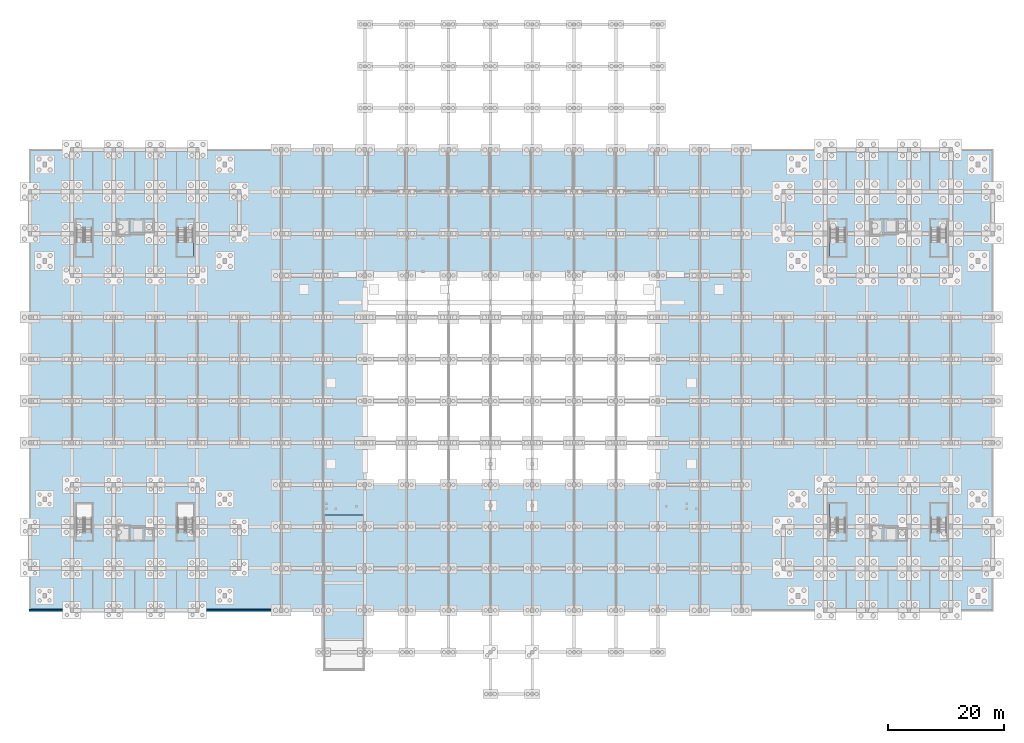
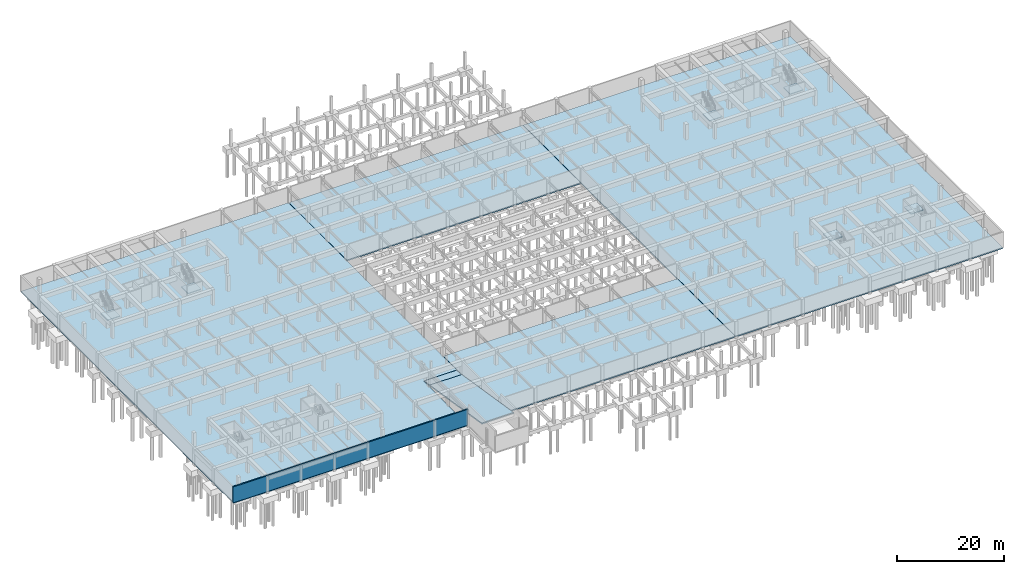
# One storey, part 23 of 36: 12 slabs, 1 wall, 6 elements without a shape of their own.
"""IFC4 building model written with IfcOpenShell, lengths in metres."""

import ifcopenshell
import ifcopenshell.guid

model = None  # the IFC model being written
_history = None  # IfcOwnerHistory: only IFC2X3 demands one
_inside = {}  # id of a spatial element -> (the spatial element, [elements in it])
_under = {}  # id of a project, library or spatial element -> (it, [spatial elements below it])
_declared = {}  # id of a project -> (the project, [libraries it declares])
_typed = {}  # id of a type object -> (the type object, [elements of that type])
_made_of = {}  # id of a material, layer set ... -> (it, [elements and type objects made of it])


def new_model(schema):
    """Start an empty IFC model of exactly this schema.

    Asked for "IFC4X3", IfcOpenShell would pick the latest addendum, in which some entities
    have other attributes; the version numbers below select the first issue.
    IFC2X3 requires an IfcOwnerHistory on every rooted entity: one is made here for all.
    """
    global model, _history
    if schema == "IFC4X3":
        model = ifcopenshell.file(schema_version=(4, 3, 0, 0))
    else:
        model = ifcopenshell.file(schema=schema)
    _inside.clear()
    _under.clear()
    _declared.clear()
    _typed.clear()
    _made_of.clear()
    _history = None
    if model.schema == "IFC2X3":
        org = make("IfcOrganization", Name="unknown")
        user = make(
            "IfcPersonAndOrganization",
            ThePerson=make("IfcPerson", FamilyName="unknown"),
            TheOrganization=org,
        )
        app = make(
            "IfcApplication",
            ApplicationDeveloper=org,
            Version="unknown",
            ApplicationFullName="unknown",
            ApplicationIdentifier="unknown",
        )
        _history = make(
            "IfcOwnerHistory",
            OwningUser=user,
            OwningApplication=app,
            ChangeAction="ADDED",
            CreationDate=0,
        )
    return model


def make(cls, **values):
    """One entity of the class cls with the attributes given. An attribute that is None is left unset."""
    return model.create_entity(
        cls, **{name: value for name, value in values.items() if value is not None}
    )


def rooted(cls, **values):
    """An entity with a GlobalId (a new one), such as an element, a storey or a relation."""
    return make(cls, GlobalId=ifcopenshell.guid.new(), OwnerHistory=_history, **values)


def si_unit(unit_type, name, prefix=None):
    """IfcSIUnit, for example si_unit("LENGTHUNIT", "METRE", prefix="MILLI")."""
    return make("IfcSIUnit", UnitType=unit_type, Prefix=prefix, Name=name)


def assignment(units):
    """IfcUnitAssignment: the units of a project."""
    return None if units is None else make("IfcUnitAssignment", Units=units)


def point(xyz):
    """IfcCartesianPoint."""
    return None if xyz is None else make("IfcCartesianPoint", Coordinates=xyz)


def direction(xyz):
    """IfcDirection."""
    return None if xyz is None else make("IfcDirection", DirectionRatios=xyz)


def frame(location, z_axis=None, x_axis=None):
    """IfcAxis2Placement3D, a coordinate frame: its origin and axes. An axis left out is left unset."""
    return make(
        "IfcAxis2Placement3D",
        Location=point(location),
        Axis=direction(z_axis),
        RefDirection=direction(x_axis),
    )


def frame_2d(location, x_axis=None):
    """IfcAxis2Placement2D, a coordinate frame in the plane: its origin and x axis."""
    return make(
        "IfcAxis2Placement2D", Location=point(location), RefDirection=direction(x_axis)
    )


def origin():
    """The frame at (0, 0, 0) with its axes left unset."""
    return frame((0.0, 0.0, 0.0))


def place(relative_to, where):
    """IfcLocalPlacement: puts the frame where relative to a parent placement (None: the world)."""
    return make(
        "IfcLocalPlacement", PlacementRelTo=relative_to, RelativePlacement=where
    )


def context(
    kind, dimensions, precision=None, world=None, true_north=None, identifier=None
):
    """IfcGeometricRepresentationContext, for example the 3D "Model" context."""
    return make(
        "IfcGeometricRepresentationContext",
        ContextIdentifier=identifier,
        ContextType=kind,
        CoordinateSpaceDimension=dimensions,
        Precision=precision,
        WorldCoordinateSystem=world,
        TrueNorth=true_north,
    )


def subcontext(parent, identifier, kind, view, scale=None):
    """IfcGeometricRepresentationSubContext, for example "Body" below "Model"."""
    return make(
        "IfcGeometricRepresentationSubContext",
        ContextIdentifier=identifier,
        ContextType=kind,
        ParentContext=parent,
        TargetScale=scale,
        TargetView=view,
    )


def project(units=None, contexts=None):
    """IfcProject with its units and contexts."""
    return rooted(
        "IfcProject",
        Name="project",
        RepresentationContexts=contexts,
        UnitsInContext=assignment(units),
    )


def spatial(cls, under=None, at=None, **own):
    """A site, building, storey or space (cls), placed at a placement, below another one or the project."""
    s = rooted(cls, ObjectPlacement=at, **own)
    if under is not None:
        _under.setdefault(under.id(), (under, []))[1].append(s)
    return s


def polyline(points):
    """IfcPolyline through the points."""
    return make("IfcPolyline", Points=[point(p) for p in points])


def profile(cls, at=None, kind="AREA", **sizes):
    """A parametric profile (cls). Its sizes go by their IFC names, for example OverallWidth=200.0."""
    return make(cls, ProfileType=kind, Position=at, **sizes)


def rectangle(**sizes):
    """IfcRectangleProfileDef."""
    return profile("IfcRectangleProfileDef", **sizes)


def outline(outer, holes=None, kind="AREA"):
    """IfcArbitraryClosedProfileDef: a profile drawn as a closed curve; with holes, ...WithVoids."""
    if holes is None:
        return make("IfcArbitraryClosedProfileDef", ProfileType=kind, OuterCurve=outer)
    return make(
        "IfcArbitraryProfileDefWithVoids",
        ProfileType=kind,
        OuterCurve=outer,
        InnerCurves=holes,
    )


def extrude(swept, where, along, depth):
    """IfcExtrudedAreaSolid: the profile swept, set in the frame where, extruded along a direction by depth."""
    return make(
        "IfcExtrudedAreaSolid",
        SweptArea=swept,
        Position=where,
        ExtrudedDirection=direction(along),
        Depth=depth,
    )


def shape(context_of_items, identifier, shape_type, items):
    """IfcShapeRepresentation: the items that make up one representation, for example the "Body"."""
    return make(
        "IfcShapeRepresentation",
        ContextOfItems=context_of_items,
        RepresentationIdentifier=identifier,
        RepresentationType=shape_type,
        Items=items,
    )


def material(Name=None, Category=None):
    """IfcMaterial."""
    return make("IfcMaterial", Name=Name, Category=Category)


def layer(
    of_material, thickness, ventilated=None, Name=None, Category=None, Priority=None
):
    """IfcMaterialLayer: one layer of a wall or slab, of a material (None: an air gap)."""
    return make(
        "IfcMaterialLayer",
        Material=of_material,
        LayerThickness=thickness,
        IsVentilated=ventilated,
        Name=Name,
        Category=Category,
        Priority=Priority,
    )


def layer_set(layers, Name=None):
    """IfcMaterialLayerSet."""
    return make("IfcMaterialLayerSet", MaterialLayers=layers, LayerSetName=Name)


def made_of(thing, what):
    """Note that an element or type object is made of a material, layer set ...; save() writes the relation."""
    if what is not None:
        _made_of.setdefault(what.id(), (what, []))[1].append(thing)
    return thing


def type_object(cls, material=None, **own):
    """A type object (cls), such as IfcWallType, which elements share."""
    return made_of(rooted(cls, **own), material)


def element(
    cls,
    number,
    at=None,
    inside=None,
    cuts=None,
    type_object=None,
    material=None,
    context=None,
    identifier="Body",
    shape_type=None,
    held_by="IfcProductDefinitionShape",
    body=None,
    shapes=None,
    **own,
):
    """One element of the class cls, such as IfcWall. Its Tag is "e" and its number.

    at: its placement. inside: the storey or other place that contains it. cuts: it is an
    opening in that element (IfcRelVoidsElement). A single representation is given by context,
    identifier, shape_type and body (its items); several are given by shapes. held_by: the class
    of the entity that holds the representations. save() writes the other relations.
    """
    e = rooted(cls, Tag="e%d" % number, ObjectPlacement=at, **own)
    if body is not None:
        shapes = [shape(context, identifier, shape_type, body)]
    if shapes is not None:
        e.Representation = make(held_by, Representations=shapes)
    if inside is not None:
        _inside.setdefault(inside.id(), (inside, []))[1].append(e)
    if cuts is not None:
        rooted(
            "IfcRelVoidsElement", RelatingBuildingElement=cuts, RelatedOpeningElement=e
        )
    if type_object is not None:
        _typed.setdefault(type_object.id(), (type_object, []))[1].append(e)
    return made_of(e, material)


def aggregate(whole, parts):
    """IfcRelAggregates: a whole, such as a stair, and the parts it consists of."""
    return rooted("IfcRelAggregates", RelatingObject=whole, RelatedObjects=parts)


def save(model, path):
    """Write the relations noted so far, then the file.

    IfcRelAggregates (storeys below a building ...), IfcRelContainedInSpatialStructure (elements
    in a storey), IfcRelDefinesByType, IfcRelAssociatesMaterial and IfcRelDeclares: one each for
    every whole, place, type object, material and project.
    """
    for whole, parts in _under.values():
        aggregate(whole, parts)
    for where, things in _inside.values():
        rooted(
            "IfcRelContainedInSpatialStructure",
            RelatedElements=things,
            RelatingStructure=where,
        )
    for kind, things in _typed.values():
        rooted("IfcRelDefinesByType", RelatedObjects=things, RelatingType=kind)
    for what, things in _made_of.values():
        rooted("IfcRelAssociatesMaterial", RelatedObjects=things, RelatingMaterial=what)
    for by, libraries in _declared.values():
        rooted("IfcRelDeclares", RelatingContext=by, RelatedDefinitions=libraries)
    model.write(path)


model = new_model("IFC4")

# Units and contexts
model_context = context("Model", 3, precision=1e-05, world=origin(), true_north=direction((0.0, 1.0)))
body_context = subcontext(model_context, "Body", "Model", "MODEL_VIEW")
ifc_project = project(units=[si_unit("LENGTHUNIT", "METRE"), si_unit("AREAUNIT", "SQUARE_METRE"), si_unit("VOLUMEUNIT", "CUBIC_METRE"), si_unit("PLANEANGLEUNIT", "RADIAN"), si_unit("MASSUNIT", "GRAM", prefix="KILO")], contexts=[model_context])

# Site, building, storey
site_placement = place(None, origin())
site = spatial("IfcSite", under=ifc_project, at=site_placement, CompositionType="ELEMENT")
building_placement = place(site_placement, origin())
building = spatial("IfcBuilding", under=site, at=building_placement, Name="Ochrevale Crest", CompositionType="ELEMENT")
storey_placement = place(building_placement, frame((0.0, 0.0, -3.60009765625)))
storey = spatial("IfcBuildingStorey", under=building, at=storey_placement, Name="B1", CompositionType="ELEMENT", Elevation=-3.60009765625)

# Slabs
ifc_material_1 = material(Name="Concrete C40/50", Category="concrete")
ifc_layer_1 = layer(ifc_material_1, 0.260009765625)
ifc_layer_set_1 = layer_set([ifc_layer_1], Name="Concrete C40/50")
slab_type_1 = type_object("IfcSlabType", Name="SLB-BASE-260", PredefinedType="BASESLAB", material=ifc_layer_set_1)
slab_1_placement = place(storey_placement, frame((0.0, 0.0, -0.260009765625)))
element("IfcSlab", 1, at=slab_1_placement, inside=storey, type_object=slab_type_1, Name="B1 west semi-basement base slab", PredefinedType="BASESLAB", context=body_context, shape_type="SweptSolid", body=[
    extrude(outline(polyline([(0.0, 14.39990234375), (50.39990234375, 14.39990234375), (50.39990234375, 30.820068359375), (57.574951171875, 30.820068359375), (57.574951171875, 93.60009765625), (0.0, 93.60009765625), (0.0, 14.39990234375)])), origin(), (0.0, 0.0, 1.0), 0.260009765625),
])
slab_2_placement = place(storey_placement, frame((0.0, 0.0, -0.260009765625)))
element("IfcSlab", 2, at=slab_2_placement, inside=storey, type_object=slab_type_1, Name="B1 central-south semi-basement base slab", PredefinedType="BASESLAB", context=body_context, shape_type="SweptSolid", body=[
    extrude(outline(polyline([(57.625, 14.39990234375), (107.97509765625, 14.39990234375), (107.97509765625, 36.0), (57.625, 36.0), (57.625, 14.39990234375)])), origin(), (0.0, 0.0, 1.0), 0.260009765625),
])
slab_3_placement = place(storey_placement, frame((0.0, 0.0, -0.260009765625)))
element("IfcSlab", 3, at=slab_3_placement, inside=storey, type_object=slab_type_1, Name="B1 central-north semi-basement base slab", PredefinedType="BASESLAB", context=body_context, shape_type="SweptSolid", body=[
    extrude(outline(polyline([(57.625, 72.0), (107.97509765625, 72.0), (107.97509765625, 93.60009765625), (57.625, 93.60009765625), (57.625, 72.0)])), origin(), (0.0, 0.0, 1.0), 0.260009765625),
])
slab_4_placement = place(storey_placement, frame((0.0, 0.0, -0.260009765625)))
element("IfcSlab", 4, at=slab_4_placement, inside=storey, type_object=slab_type_1, Name="B1 east semi-basement base slab", PredefinedType="BASESLAB", context=body_context, shape_type="SweptSolid", body=[
    extrude(outline(polyline([(108.02490234375, 14.39990234375), (165.60009765625, 14.39990234375), (165.60009765625, 93.60009765625), (108.02490234375, 93.60009765625), (108.02490234375, 14.39990234375)])), origin(), (0.0, 0.0, 1.0), 0.260009765625),
])

# Stair, slab
ifc_material_2 = material(Name="Precast concrete C40/50", Category="concrete")
stair_type = type_object("IfcStairType", Name="ST-CORE-DOG", PredefinedType="HALF_TURN_STAIR", material=ifc_material_2)
stair_1_placement = place(storey_placement, origin())
stair_1 = element("IfcStair", 5, at=stair_1_placement, inside=storey, type_object=stair_type, Name="B1 Block B Fire Stair 1", PredefinedType="HALF_TURN_STAIR")
ifc_layer_2 = layer(ifc_material_2, 0.199951171875)
ifc_layer_set_2 = layer_set([ifc_layer_2], Name="Precast concrete C40/50")
slab_type_2 = type_object("IfcSlabType", Name="SLB-ST-LAND", PredefinedType="LANDING", material=ifc_layer_set_2)
slab_5_placement = place(storey_placement, frame((0.0, 0.0, 1.60009765625)))
slab_5 = element("IfcSlab", 6, at=slab_5_placement, type_object=slab_type_2, Name="ST-B1 landing 1", PredefinedType="LANDING", context=body_context, shape_type="SweptSolid", body=[
    extrude(outline(polyline([(7.919921875, 77.784912109375), (7.919921875, 75.195068359375), (10.72998046875, 75.195068359375), (10.72998046875, 77.784912109375), (7.919921875, 77.784912109375)])), origin(), (0.0, 0.0, 1.0), 0.199951171875),
])
aggregate(stair_1, [slab_5])

stair_2_placement = place(storey_placement, origin())
stair_2 = element("IfcStair", 7, at=stair_2_placement, inside=storey, type_object=stair_type, Name="B1 Block B Fire Stair 2", PredefinedType="HALF_TURN_STAIR")
slab_6_placement = place(storey_placement, frame((0.0, 0.0, 1.60009765625)))
slab_6 = element("IfcSlab", 8, at=slab_6_placement, type_object=slab_type_2, Name="ST-B2 landing 1", PredefinedType="LANDING", context=body_context, shape_type="SweptSolid", body=[
    extrude(outline(polyline([(25.320068359375, 77.784912109375), (25.320068359375, 75.195068359375), (28.1298828125, 75.195068359375), (28.1298828125, 77.784912109375), (25.320068359375, 77.784912109375)])), origin(), (0.0, 0.0, 1.0), 0.199951171875),
])
aggregate(stair_2, [slab_6])

stair_3_placement = place(storey_placement, origin())
stair_3 = element("IfcStair", 9, at=stair_3_placement, inside=storey, type_object=stair_type, Name="B1 Block C Fire Stair 1", PredefinedType="HALF_TURN_STAIR")
slab_7_placement = place(storey_placement, frame((0.0, 0.0, 1.60009765625)))
slab_7 = element("IfcSlab", 10, at=slab_7_placement, type_object=slab_type_2, Name="ST-C1 landing 1", PredefinedType="LANDING", context=body_context, shape_type="SweptSolid", body=[
    extrude(outline(polyline([(140.330078125, 30.215087890625), (140.330078125, 32.804931640625), (137.52001953125, 32.804931640625), (137.52001953125, 30.215087890625), (140.330078125, 30.215087890625)])), origin(), (0.0, 0.0, 1.0), 0.199951171875),
])
aggregate(stair_3, [slab_7])

stair_4_placement = place(storey_placement, origin())
stair_4 = element("IfcStair", 11, at=stair_4_placement, inside=storey, type_object=stair_type, Name="B1 Block C Fire Stair 2", PredefinedType="HALF_TURN_STAIR")
slab_8_placement = place(storey_placement, frame((0.0, 0.0, 1.60009765625)))
slab_8 = element("IfcSlab", 12, at=slab_8_placement, type_object=slab_type_2, Name="ST-C2 landing 1", PredefinedType="LANDING", context=body_context, shape_type="SweptSolid", body=[
    extrude(outline(polyline([(157.72998046875, 30.215087890625), (157.72998046875, 32.804931640625), (154.919921875, 32.804931640625), (154.919921875, 30.215087890625), (157.72998046875, 30.215087890625)])), origin(), (0.0, 0.0, 1.0), 0.199951171875),
])
aggregate(stair_4, [slab_8])

stair_5_placement = place(storey_placement, origin())
stair_5 = element("IfcStair", 13, at=stair_5_placement, inside=storey, type_object=stair_type, Name="B1 Block D Fire Stair 1", PredefinedType="HALF_TURN_STAIR")
slab_9_placement = place(storey_placement, frame((0.0, 0.0, 1.60009765625)))
slab_9 = element("IfcSlab", 14, at=slab_9_placement, type_object=slab_type_2, Name="ST-D1 landing 1", PredefinedType="LANDING", context=body_context, shape_type="SweptSolid", body=[
    extrude(outline(polyline([(137.52001953125, 77.784912109375), (137.52001953125, 75.195068359375), (140.330078125, 75.195068359375), (140.330078125, 77.784912109375), (137.52001953125, 77.784912109375)])), origin(), (0.0, 0.0, 1.0), 0.199951171875),
])
aggregate(stair_5, [slab_9])

stair_6_placement = place(storey_placement, origin())
stair_6 = element("IfcStair", 15, at=stair_6_placement, inside=storey, type_object=stair_type, Name="B1 Block D Fire Stair 2", PredefinedType="HALF_TURN_STAIR")
slab_10_placement = place(storey_placement, frame((0.0, 0.0, 1.60009765625)))
slab_10 = element("IfcSlab", 16, at=slab_10_placement, type_object=slab_type_2, Name="ST-D2 landing 1", PredefinedType="LANDING", context=body_context, shape_type="SweptSolid", body=[
    extrude(outline(polyline([(154.919921875, 77.784912109375), (154.919921875, 75.195068359375), (157.72998046875, 75.195068359375), (157.72998046875, 77.784912109375), (154.919921875, 77.784912109375)])), origin(), (0.0, 0.0, 1.0), 0.199951171875),
])
aggregate(stair_6, [slab_10])

# Slabs
ifc_layer_3 = layer(ifc_material_1, 0.280029296875)
ifc_layer_set_3 = layer_set([ifc_layer_3], Name="Concrete C40/50")
slab_type_3 = type_object("IfcSlabType", Name="SLB-VRMP-280", PredefinedType="FLOOR", material=ifc_layer_set_3)
slab_11_placement = place(storey_placement, frame((50.550048828125, 28.800048828125, 0.25), z_axis=(0.0, 0.124034734589, 0.992277876714), x_axis=(1.0, 0.0, 0.0)))
element("IfcSlab", 17, at=slab_11_placement, inside=storey, type_object=slab_type_3, Name="Car park vehicle ramp lower transition structural slab", PredefinedType="FLOOR", context=body_context, shape_type="SweptSolid", body=[
    extrude(outline(polyline([(0.0, 0.0), (6.89990234375, 0.0), (6.89990234375, 2.0155644370746373), (0.0, 2.0155644370746373), (0.0, 0.0)])), origin(), (0.0, 0.0, -1.0), 0.280029296875),
])
slab_12_placement = place(storey_placement, frame((50.550048828125, 9.39990234375, 3.35009765625), z_axis=(0.0, 0.157795662674, 0.987471786352), x_axis=(1.0, 0.0, 0.0)))
element("IfcSlab", 18, at=slab_12_placement, inside=storey, type_object=slab_type_3, Name="Car park vehicle ramp main 1:6.3 structural slab", PredefinedType="FLOOR", context=body_context, shape_type="SweptSolid", body=[
    extrude(outline(polyline([(0.0, 0.0), (6.89990234375, 0.0), (6.89990234375, 19.646279268438956), (0.0, 19.646279268438956), (0.0, 0.0)])), origin(), (0.0, 0.0, -1.0), 0.280029296875),
])

# Wall
ifc_layer_4 = layer(ifc_material_1, 0.284912109375)
ifc_layer_set_4 = layer_set([ifc_layer_4], Name="Concrete C40/50")
wall_type = type_object("IfcWallType", Name="WL-RET-285", PredefinedType="USERDEFINED", material=ifc_layer_set_4)
wall_placement = place(storey_placement, frame((-0.142578125, 14.39990234375, 0.0), z_axis=(0.0, 0.0, 1.0), x_axis=(1.0, 0.0, 0.0)))
element("IfcWall", 19, at=wall_placement, inside=storey, type_object=wall_type, Name="B1 Concrete C40/50 retaining wall S1", ObjectType="RETAININGWALL", PredefinedType="USERDEFINED", context=body_context, shape_type="SweptSolid", body=[
    extrude(rectangle(XDim=50.54248046875, YDim=0.284912109375, at=frame_2d((25.271240234375, 0.0))), origin(), (0.0, 0.0, 1.0), 3.60009765625),
])

save(model, "model.ifc")
